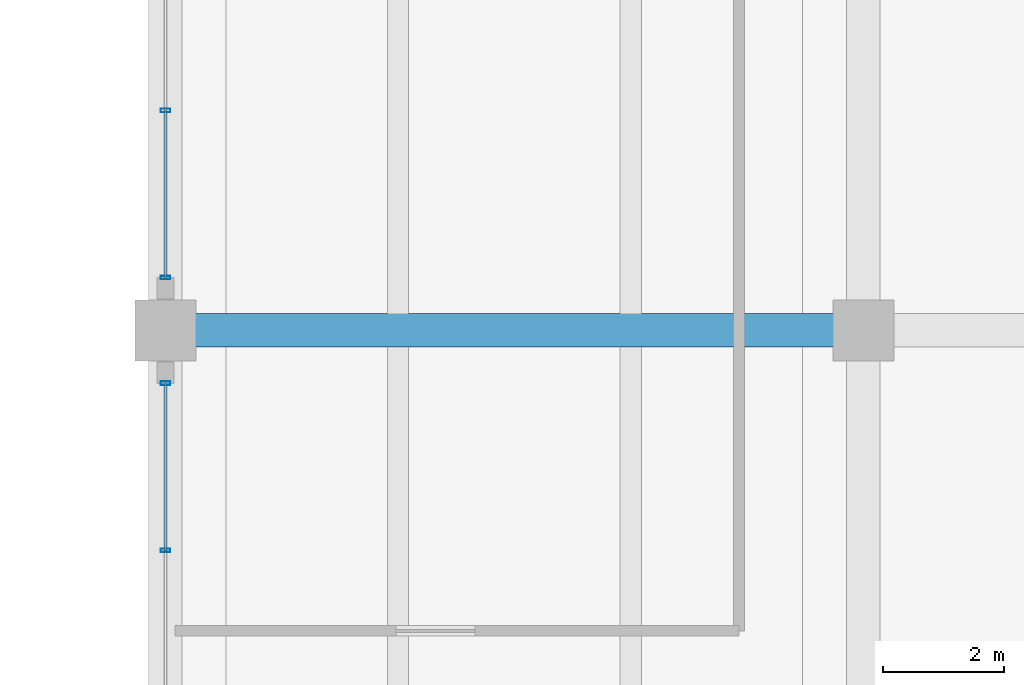
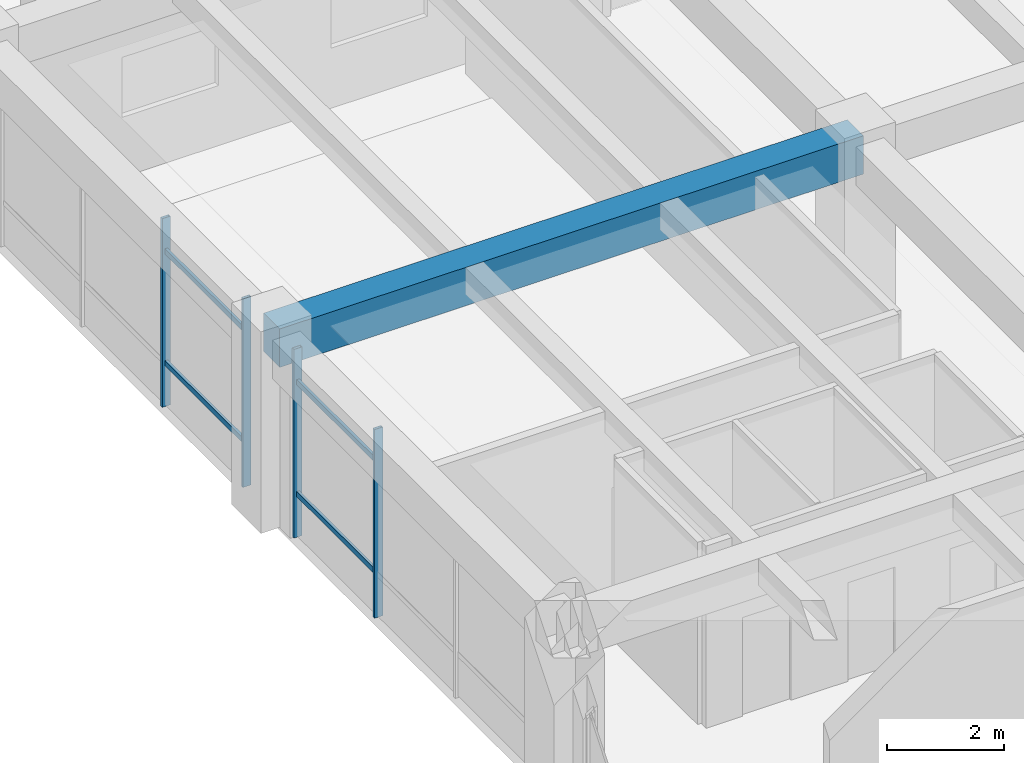
# One storey, part 41 of 98: 8 members, 1 beam, 2 elements without a shape of their own.
"""IFC4 building model written with IfcOpenShell, lengths in metres."""

from ifc_helpers import new_model, si_unit, direction, frame, origin, origin_2d, place, context, subcontext, project, spatial, rectangle, hollow_rectangle, extrude, material, material_profile, profile_set, type_object, element, aggregate, save


model = new_model("IFC4")

# Units and contexts
model_context = context("Model", 3, precision=1e-05, world=origin(), true_north=direction((0.0, 1.0)))
body_context = subcontext(model_context, "Body", "Model", "MODEL_VIEW")
ifc_project = project(units=[si_unit("LENGTHUNIT", "METRE"), si_unit("AREAUNIT", "SQUARE_METRE"), si_unit("VOLUMEUNIT", "CUBIC_METRE"), si_unit("PLANEANGLEUNIT", "RADIAN"), si_unit("MASSUNIT", "GRAM", prefix="KILO")], contexts=[model_context])

# Site, building, storey
site_placement = place(None, origin())
site = spatial("IfcSite", under=ifc_project, at=site_placement, CompositionType="ELEMENT")
building_placement = place(site_placement, origin())
building = spatial("IfcBuilding", under=site, at=building_placement, Name="Ologun Quay Terminus", CompositionType="ELEMENT")
storey_placement = place(building_placement, frame((0.0, 0.0, 4.199951171875)))
storey = spatial("IfcBuildingStorey", under=building, at=storey_placement, Name="L01", CompositionType="ELEMENT", Elevation=4.199951171875)

# Curtain wall, members
ifc_material_1 = material(Name="Aluminium 6063-T6", Category="aluminium")
curtain_wall_type = type_object("IfcCurtainWallType", Name="Rain-Garden East Courtyard Curtain Wall L01 9200x3850", PredefinedType="USERDEFINED", material=ifc_material_1)
curtain_wall_1_placement = place(storey_placement, origin())
curtain_wall_1 = element("IfcCurtainWall", 1, at=curtain_wall_1_placement, inside=storey, type_object=curtain_wall_type, Name="CW-18 Curtain Wall CW-L01-129", ObjectType="UNITISED CURTAIN WALL", PredefinedType="USERDEFINED")
ifc_material_2 = material(Name="Aluminium 6063-T6", Category="aluminium")
ifc_material_profile_1 = material_profile(ifc_material_2, hollow_rectangle(XDim=0.06005859375, YDim=0.159912109375, WallThickness=0.00390625, at=origin_2d()), Name="ALU 160x60x4")
ifc_profile_set_1 = profile_set([ifc_material_profile_1], Name="Aluminium 6063-T6")
member_type_1 = type_object("IfcMemberType", Name="Courtyard Screen Mullion 160x65", PredefinedType="MULLION", material=ifc_profile_set_1)
member_1_placement = place(storey_placement, frame((115.0, 101.1767578125, 0.0), z_axis=(0.0, 0.0, 1.0), x_axis=(0.0, 1.0, 0.0)))
member_1 = element("IfcMember", 2, at=member_1_placement, type_object=member_type_1, Name="CW-L01-129 Mullion 3", PredefinedType="MULLION", context=body_context, shape_type="SweptSolid", body=[
    extrude(hollow_rectangle(XDim=0.06005859375, YDim=0.159912109375, WallThickness=0.00390625, at=origin_2d()), origin(), (0.0, 0.0, 1.0), 3.929931640625),
])
member_2_placement = place(storey_placement, frame((115.0, 103.929931640625, 0.0), z_axis=(0.0, 0.0, 1.0), x_axis=(0.0, 1.0, 0.0)))
member_2 = element("IfcMember", 3, at=member_2_placement, type_object=member_type_1, Name="CW-L01-129 Mullion 4", PredefinedType="MULLION", context=body_context, shape_type="SweptSolid", body=[
    extrude(hollow_rectangle(XDim=0.06005859375, YDim=0.159912109375, WallThickness=0.00390625, at=origin_2d()), origin(), (0.0, 0.0, 1.0), 3.929931640625),
])

curtain_wall_2_placement = place(storey_placement, origin())
curtain_wall_2 = element("IfcCurtainWall", 4, at=curtain_wall_2_placement, inside=storey, type_object=curtain_wall_type, Name="CW-18 Curtain Wall CW-L01-130", ObjectType="UNITISED CURTAIN WALL", PredefinedType="USERDEFINED")
member_3_placement = place(storey_placement, frame((115.0, 105.669921875, 0.0), z_axis=(0.0, 0.0, 1.0), x_axis=(0.0, 1.0, 0.0)))
member_3 = element("IfcMember", 5, at=member_3_placement, type_object=member_type_1, Name="CW-L01-130 Mullion 1", PredefinedType="MULLION", context=body_context, shape_type="SweptSolid", body=[
    extrude(hollow_rectangle(XDim=0.06005859375, YDim=0.159912109375, WallThickness=0.00390625, at=origin_2d()), origin(), (0.0, 0.0, 1.0), 3.929931640625),
])
member_4_placement = place(storey_placement, frame((115.0, 108.42333984375, 0.0), z_axis=(0.0, 0.0, 1.0), x_axis=(0.0, 1.0, 0.0)))
member_4 = element("IfcMember", 6, at=member_4_placement, type_object=member_type_1, Name="CW-L01-130 Mullion 2", PredefinedType="MULLION", context=body_context, shape_type="SweptSolid", body=[
    extrude(hollow_rectangle(XDim=0.06005859375, YDim=0.159912109375, WallThickness=0.00390625, at=origin_2d()), origin(), (0.0, 0.0, 1.0), 3.929931640625),
])

# Member
ifc_material_3 = material(Name="Aluminium 6063-T6", Category="aluminium")
ifc_material_profile_2 = material_profile(ifc_material_3, hollow_rectangle(XDim=0.054931640625, YDim=0.110107421875, WallThickness=0.00390625, at=origin_2d()), Name="ALU 110x55x4")
ifc_profile_set_2 = profile_set([ifc_material_profile_2], Name="Aluminium 6063-T6")
member_type_2 = type_object("IfcMemberType", Name="Courtyard Screen Transom 110x55", PredefinedType="USERDEFINED", material=ifc_profile_set_2)
member_5_placement = place(storey_placement, frame((115.0, 101.1767578125, 0.900146484375), z_axis=(0.0, 1.0, 0.0), x_axis=(-1.0, 0.0, 0.0)))
member_5 = element("IfcMember", 7, at=member_5_placement, type_object=member_type_2, Name="CW-L01-129 Transom B3-1", ObjectType="TRANSOM", PredefinedType="USERDEFINED", context=body_context, shape_type="SweptSolid", body=[
    extrude(hollow_rectangle(XDim=0.054931640625, YDim=0.110107421875, WallThickness=0.00390625, at=origin_2d()), origin(), (0.0, 0.0, 1.0), 2.753173828125),
])

member_6_placement = place(storey_placement, frame((115.0, 101.1767578125, 3.22998046875), z_axis=(0.0, 1.0, 0.0), x_axis=(-1.0, 0.0, 0.0)))
member_6 = element("IfcMember", 8, at=member_6_placement, type_object=member_type_2, Name="CW-L01-129 Transom B3-2", ObjectType="TRANSOM", PredefinedType="USERDEFINED", context=body_context, shape_type="SweptSolid", body=[
    extrude(hollow_rectangle(XDim=0.054931640625, YDim=0.110107421875, WallThickness=0.00390625, at=origin_2d()), origin(), (0.0, 0.0, 1.0), 2.753173828125),
])

aggregate(curtain_wall_1, [member_1, member_2, member_5, member_6])

member_7_placement = place(storey_placement, frame((115.0, 105.669921875, 0.900146484375), z_axis=(0.0, 1.0, 0.0), x_axis=(-1.0, 0.0, 0.0)))
member_7 = element("IfcMember", 9, at=member_7_placement, type_object=member_type_2, Name="CW-L01-130 Transom B1-1", ObjectType="TRANSOM", PredefinedType="USERDEFINED", context=body_context, shape_type="SweptSolid", body=[
    extrude(hollow_rectangle(XDim=0.054931640625, YDim=0.110107421875, WallThickness=0.00390625, at=origin_2d()), origin(), (0.0, 0.0, 1.0), 2.75341796875),
])

member_8_placement = place(storey_placement, frame((115.0, 105.669921875, 3.22998046875), z_axis=(0.0, 1.0, 0.0), x_axis=(-1.0, 0.0, 0.0)))
member_8 = element("IfcMember", 10, at=member_8_placement, type_object=member_type_2, Name="CW-L01-130 Transom B1-2", ObjectType="TRANSOM", PredefinedType="USERDEFINED", context=body_context, shape_type="SweptSolid", body=[
    extrude(hollow_rectangle(XDim=0.054931640625, YDim=0.110107421875, WallThickness=0.00390625, at=origin_2d()), origin(), (0.0, 0.0, 1.0), 2.75341796875),
])

aggregate(curtain_wall_2, [member_3, member_4, member_7, member_8])

# Beam
ifc_material_4 = material(Name="Concrete C40/50", Category="concrete")
ifc_material_profile_3 = material_profile(ifc_material_4, rectangle(XDim=0.550048828125, YDim=0.800048828125, at=origin_2d()), Name="RC 550x800")
ifc_profile_set_3 = profile_set([ifc_material_profile_3], Name="Concrete C40/50")
beam_type = type_object("IfcBeamType", Name="Courtyard Wing Primary Girder 550x800", PredefinedType="BEAM", material=ifc_profile_set_3)
beam_placement = place(storey_placement, frame((115.0, 104.800048828125, 3.550048828125), z_axis=(1.0, 0.0, 0.0), x_axis=(0.0, 1.0, 0.0)))
element("IfcBeam", 11, at=beam_placement, inside=storey, type_object=beam_type, Name="B4 Beam 11/J L01", PredefinedType="BEAM", context=body_context, shape_type="SweptSolid", body=[
    extrude(rectangle(XDim=0.550048828125, YDim=0.800048828125, at=origin_2d()), origin(), (0.0, 0.0, 1.0), 11.5),
])

save(model, "model.ifc")
